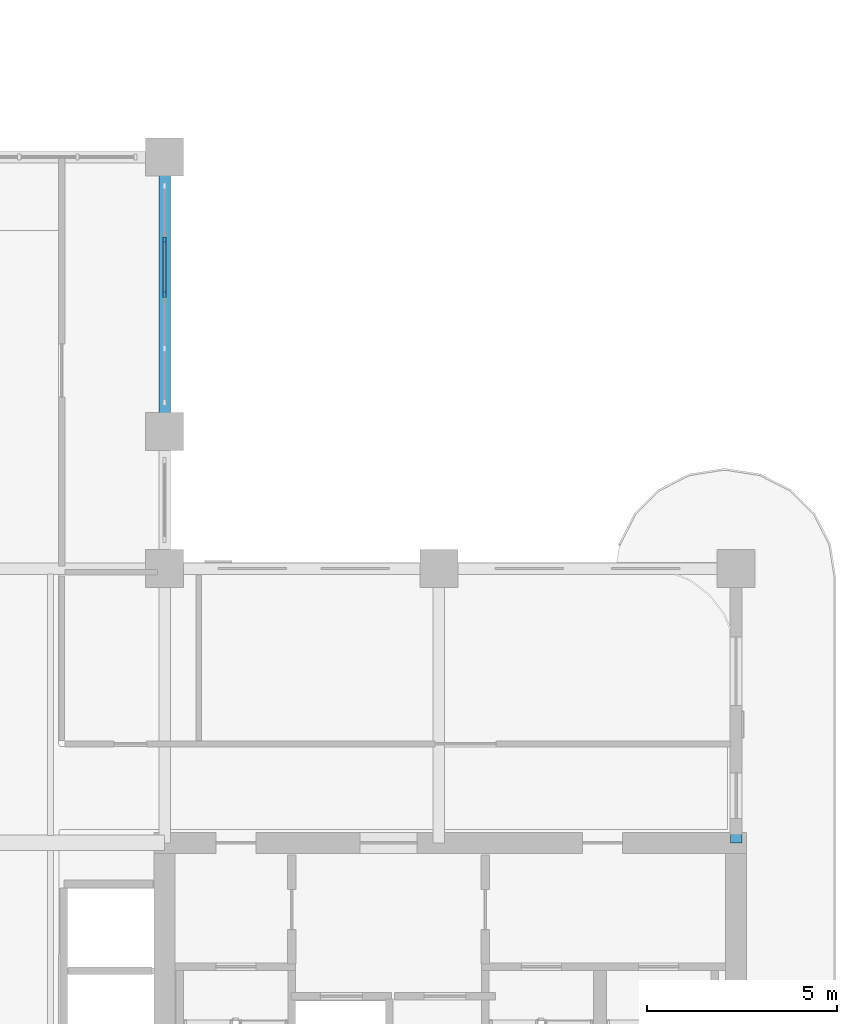
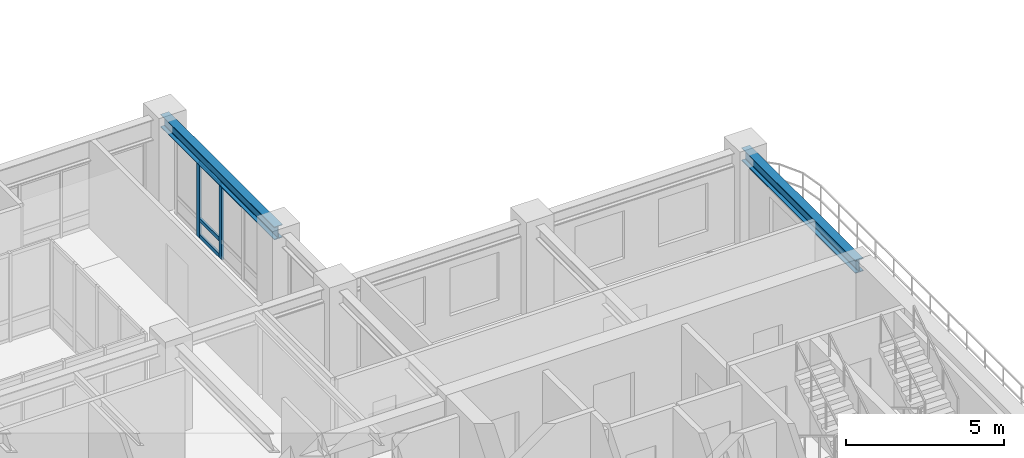
# One storey, part 4 of 20: 5 members, 2 beams, 1 element without a shape of its own.
"""IFC4 building model written with IfcOpenShell, lengths in metres."""

from ifc_helpers import new_model, si_unit, derived_unit, direction, frame, origin, origin_2d, place, context, subcontext, project, spatial, rectangle, i_section, extrude, source, transform, mapped, material, layer, layer_set, material_profile, profile_set, type_object, type_shapes, element, aggregate, save


model = new_model("IFC4")

# Units and contexts
model_context = context("Model", 3, precision=1e-05, world=origin(), true_north=direction((0.0, 1.0)))
body_context = subcontext(model_context, "Body", "Model", "MODEL_VIEW")
ifc_project = project(units=[si_unit("LENGTHUNIT", "METRE"), si_unit("AREAUNIT", "SQUARE_METRE"), si_unit("VOLUMEUNIT", "CUBIC_METRE"), si_unit("PLANEANGLEUNIT", "RADIAN"), si_unit("MASSUNIT", "GRAM", prefix="KILO"), si_unit("THERMODYNAMICTEMPERATUREUNIT", "KELVIN"), si_unit("POWERUNIT", "WATT"), derived_unit("THERMALTRANSMITTANCEUNIT", [(si_unit("POWERUNIT", "WATT"), 1), (si_unit("AREAUNIT", "SQUARE_METRE"), -1), (si_unit("THERMODYNAMICTEMPERATUREUNIT", "KELVIN"), -1)])], contexts=[model_context])

# Site, building, storey
site_placement = place(None, origin())
site = spatial("IfcSite", under=ifc_project, at=site_placement, CompositionType="ELEMENT")
building_placement = place(site_placement, origin())
building = spatial("IfcBuilding", under=site, at=building_placement, Name="Zahravan Archway Hotel and Residences", CompositionType="ELEMENT")
storey_placement = place(building_placement, frame((0.0, 0.0, 130.300048828125)))
storey = spatial("IfcBuildingStorey", under=building, at=storey_placement, Name="L32", CompositionType="ELEMENT", Elevation=130.300048828125)

# Beams
ifc_material_1 = material(Name="Structural Steel S355JR", Category="steel")
ifc_material_profile_1 = material_profile(ifc_material_1, i_section(OverallWidth=0.300048828125, OverallDepth=0.5, WebThickness=0.014404296875, FlangeThickness=0.028076171875, FilletRadius=0.027099609375, at=origin_2d()), Name="HEB 500", Category="steel")
ifc_profile_set_1 = profile_set([ifc_material_profile_1], Name="Structural Steel S355JR")
beam_type = type_object("IfcBeamType", Name="BM-PRI-HEB500", PredefinedType="BEAM", material=ifc_profile_set_1)
shared_shape_1 = source(origin(), body_context, "Body", "SweptSolid", [
    extrude(i_section(OverallWidth=0.300048828125, OverallDepth=0.5, WebThickness=0.014404296875, FlangeThickness=0.028076171875, FilletRadius=0.027099609375, at=origin_2d()), origin(), (0.0, 0.0, 1.0), 7.2001953125),
])
type_shapes(beam_type, [shared_shape_1])
beam_1_placement = place(storey_placement, frame((49.800048828125, 14.39990234375, 3.199951171875), z_axis=(0.0, 1.0, 0.0), x_axis=(-1.0, 0.0, 0.0)))
element("IfcBeam", 1, at=beam_1_placement, inside=storey, type_object=beam_type, Name="L32 Primary Girder NS-45", PredefinedType="BEAM", context=body_context, shape_type="MappedRepresentation", body=[
    mapped(shared_shape_1, transform((0.0, 0.0, 0.0), scale=1.0)),
])
shared_shape_2 = source(origin(), body_context, "Body", "SweptSolid", [
    extrude(i_section(OverallWidth=0.300048828125, OverallDepth=0.5, WebThickness=0.014404296875, FlangeThickness=0.028076171875, FilletRadius=0.027099609375, at=origin_2d()), origin(), (0.0, 0.0, 1.0), 7.199951171875),
])
beam_2_placement = place(storey_placement, frame((34.800048828125, 25.199951171875, 3.199951171875), z_axis=(0.0, 1.0, 0.0), x_axis=(-1.0, 0.0, 0.0)))
element("IfcBeam", 2, at=beam_2_placement, inside=storey, type_object=beam_type, Name="L32 Primary Girder NS-43", PredefinedType="BEAM", context=body_context, shape_type="MappedRepresentation", body=[
    mapped(shared_shape_2, transform((0.0, 0.0, 0.0), scale=1.0)),
])

# Curtain wall, members
ifc_material_2 = material(Name="Bronze-Anodized Unitised Aluminium & Low-E Glass", Category="aluminium")
ifc_layer = layer(ifc_material_2, 0.179931640625, Name="Bronze-Anodized Unitised Aluminium & Low-E Glass", Category="aluminium")
ifc_layer_set = layer_set([ifc_layer], Name="Bronze-Anodized Unitised Aluminium & Low-E Glass")
curtain_wall_type = type_object("IfcCurtainWallType", Name="CW-ATR-GLAZ", PredefinedType="NOTDEFINED", material=ifc_layer_set)
curtain_wall_placement = place(storey_placement, origin())
curtain_wall = element("IfcCurtainWall", 3, at=curtain_wall_placement, inside=storey, type_object=curtain_wall_type, Name="L32 Curtain Wall CW-L32-HNG-E-2", PredefinedType="NOTDEFINED")
ifc_material_3 = material(Name="Bronze-Anodized Extruded Aluminium", Category="aluminium")
ifc_material_profile_2 = material_profile(ifc_material_3, rectangle(XDim=0.080078125, YDim=0.139892578125, at=origin_2d()), Name="TRN 80x140", Category="aluminium")
ifc_profile_set_2 = profile_set([ifc_material_profile_2], Name="Bronze-Anodized Extruded Aluminium")
member_type_1 = type_object("IfcMemberType", Name="CWM-TRN-140", PredefinedType="USERDEFINED", material=ifc_profile_set_2)
shared_shape_3 = source(origin(), body_context, "Body", "SweptSolid", [
    extrude(rectangle(XDim=0.080078125, YDim=0.139892578125, at=origin_2d()), origin(), (0.0, 0.0, 1.0), 1.33984375),
])
member_1_placement = place(storey_placement, frame((34.800048828125, 28.840087890625, 0.070068359375), z_axis=(0.0, 1.0, 0.0), x_axis=(-1.0, 0.0, 0.0)))
member_1 = element("IfcMember", 4, at=member_1_placement, type_object=member_type_1, Name="CW-L32-HNG-E-2 Transom 2-1", ObjectType="TRANSOM", PredefinedType="USERDEFINED", context=body_context, shape_type="MappedRepresentation", body=[
    mapped(shared_shape_3, transform((0.0, 0.0, 0.0), scale=1.0)),
])
member_2_placement = place(storey_placement, frame((34.800048828125, 28.840087890625, 0.704345703125), z_axis=(0.0, 1.0, 0.0), x_axis=(-1.0, 0.0, 0.0)))
member_2 = element("IfcMember", 5, at=member_2_placement, type_object=member_type_1, Name="CW-L32-HNG-E-2 Transom 2-2", ObjectType="TRANSOM", PredefinedType="USERDEFINED", context=body_context, shape_type="MappedRepresentation", body=[
    mapped(shared_shape_3, transform((0.0, 0.0, 0.0), scale=1.0)),
])
member_3_placement = place(storey_placement, frame((34.800048828125, 28.840087890625, 2.864990234375), z_axis=(0.0, 1.0, 0.0), x_axis=(-1.0, 0.0, 0.0)))
member_3 = element("IfcMember", 6, at=member_3_placement, type_object=member_type_1, Name="CW-L32-HNG-E-2 Transom 2-3", ObjectType="TRANSOM", PredefinedType="USERDEFINED", context=body_context, shape_type="MappedRepresentation", body=[
    mapped(shared_shape_3, transform((0.0, 0.0, 0.0), scale=1.0)),
])
ifc_material_profile_3 = material_profile(ifc_material_3, rectangle(XDim=0.080078125, YDim=0.159912109375, at=origin_2d()), Name="MUL 80x160", Category="aluminium")
ifc_profile_set_3 = profile_set([ifc_material_profile_3], Name="Bronze-Anodized Extruded Aluminium")
member_type_2 = type_object("IfcMemberType", Name="CWM-MUL-160", PredefinedType="MULLION", material=ifc_profile_set_3)
shared_shape_4 = source(origin(), body_context, "Body", "SweptSolid", [
    extrude(rectangle(XDim=0.080078125, YDim=0.159912109375, at=origin_2d()), origin(), (0.0, 0.0, 1.0), 2.93505859375),
])
member_4_placement = place(storey_placement, frame((34.800048828125, 28.800048828125, 0.0), z_axis=(0.0, 0.0, 1.0), x_axis=(1.0, 0.0, 0.0)))
member_4 = element("IfcMember", 7, at=member_4_placement, type_object=member_type_2, Name="CW-L32-HNG-E-2 Mullion 2", PredefinedType="MULLION", context=body_context, shape_type="MappedRepresentation", body=[
    mapped(shared_shape_4, transform((0.0, 0.0, 0.0), scale=1.0)),
])
member_5_placement = place(storey_placement, frame((34.800048828125, 30.219970703125, 0.0), z_axis=(0.0, 0.0, 1.0), x_axis=(1.0, 0.0, 0.0)))
member_5 = element("IfcMember", 8, at=member_5_placement, type_object=member_type_2, Name="CW-L32-HNG-E-2 Mullion 3", PredefinedType="MULLION", context=body_context, shape_type="MappedRepresentation", body=[
    mapped(shared_shape_4, transform((0.0, 0.0, 0.0), scale=1.0)),
])
aggregate(curtain_wall, [member_4, member_5, member_1, member_2, member_3])

save(model, "model.ifc")
